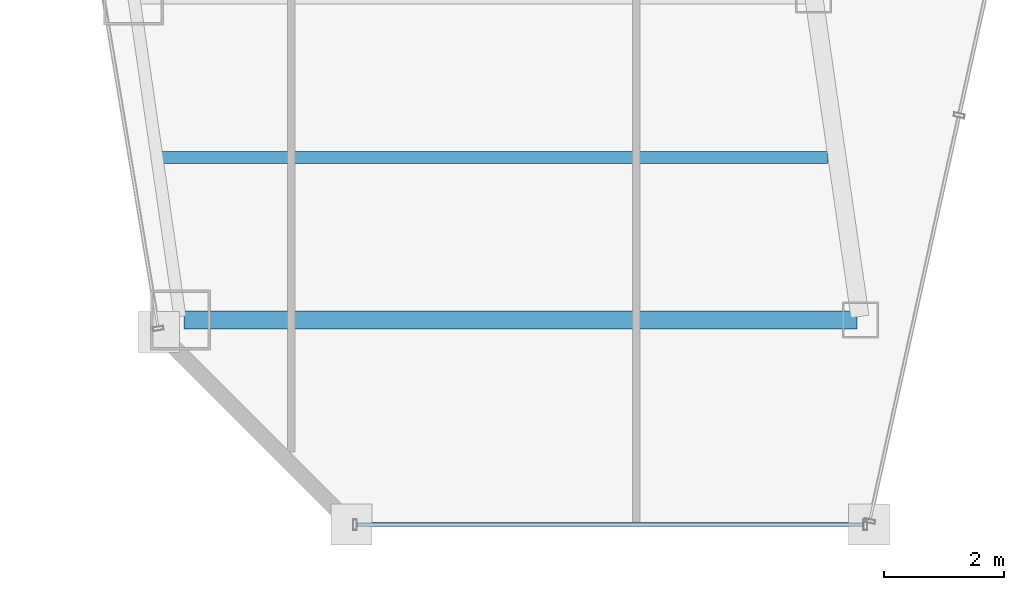
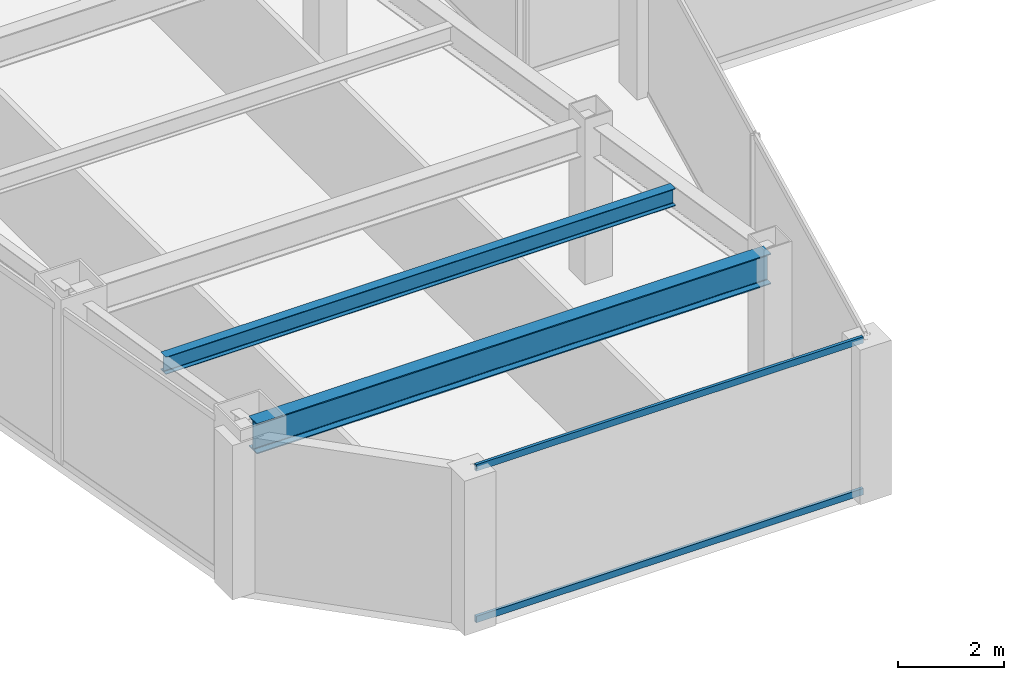
# One storey, part 3 of 40: 2 beams, 2 members, 1 element without a shape of its own.
"""IFC4 building model written with IfcOpenShell, lengths in metres."""

from ifc_helpers import new_model, si_unit, direction, frame, origin, origin_2d, place, context, subcontext, project, spatial, hollow_rectangle, i_section, extrude, material, material_profile, profile_set, type_object, element, aggregate, save


model = new_model("IFC4")

# Units and contexts
model_context = context("Model", 3, precision=1e-05, world=origin(), true_north=direction((0.0, 1.0)))
body_context = subcontext(model_context, "Body", "Model", "MODEL_VIEW")
ifc_project = project(units=[si_unit("LENGTHUNIT", "METRE"), si_unit("AREAUNIT", "SQUARE_METRE"), si_unit("VOLUMEUNIT", "CUBIC_METRE"), si_unit("PLANEANGLEUNIT", "RADIAN"), si_unit("MASSUNIT", "GRAM", prefix="KILO")], contexts=[model_context])

# Site, building, storey
site_placement = place(None, origin())
site = spatial("IfcSite", under=ifc_project, at=site_placement, CompositionType="ELEMENT")
building_placement = place(site_placement, origin())
building = spatial("IfcBuilding", under=site, at=building_placement, Name="Saevonmaru Cultural Tower", CompositionType="ELEMENT")
storey_placement = place(building_placement, frame((0.0, 0.0, 129.60009765625)))
storey = spatial("IfcBuildingStorey", under=building, at=storey_placement, Name="L27", CompositionType="ELEMENT", Elevation=129.60009765625)

# Beams
ifc_material_1 = material(Name="Steel SM355", Category="steel")
ifc_material_profile_1 = material_profile(ifc_material_1, i_section(OverallWidth=0.300048828125, OverallDepth=0.699951171875, WebThickness=0.012939453125, FlangeThickness=0.02392578125, FilletRadius=0.02587890625, at=origin_2d()), Name="H-700x300x13x24")
ifc_profile_set_1 = profile_set([ifc_material_profile_1], Name="Steel SM355")
beam_type_1 = type_object("IfcBeamType", Name="BM-G-H700", PredefinedType="BEAM", material=ifc_profile_set_1)
beam_1_placement = place(storey_placement, frame((11.468017578125, 10.60009765625, 3.199951171875), z_axis=(1.0, 0.0, 0.0), x_axis=(0.0, 1.0, 0.0)))
element("IfcBeam", 1, at=beam_1_placement, inside=storey, type_object=beam_type_1, Name="L27 West Wing Transverse Girder 1", PredefinedType="BEAM", context=body_context, shape_type="SweptSolid", body=[
    extrude(i_section(OverallWidth=0.300048828125, OverallDepth=0.699951171875, WebThickness=0.012939453125, FlangeThickness=0.02392578125, FilletRadius=0.02587890625, at=origin_2d()), origin(), (0.0, 0.0, 1.0), 11.179931640625),
])
ifc_material_profile_2 = material_profile(ifc_material_1, i_section(OverallWidth=0.199951171875, OverallDepth=0.39990234375, WebThickness=0.008056640625, FlangeThickness=0.012939453125, FilletRadius=0.01611328125, at=origin_2d()), Name="H-400x200x8x13")
ifc_profile_set_2 = profile_set([ifc_material_profile_2], Name="Steel SM355")
beam_type_2 = type_object("IfcBeamType", Name="BM-J-H400", PredefinedType="JOIST", material=ifc_profile_set_2)
beam_2_placement = place(storey_placement, frame((11.077880859375, 13.300048828125, 3.349853515625), z_axis=(1.0, 0.0, 0.0), x_axis=(0.0, 1.0, 0.0)))
element("IfcBeam", 2, at=beam_2_placement, inside=storey, type_object=beam_type_2, Name="L27 West Wing Floor Joist 1", PredefinedType="JOIST", context=body_context, shape_type="SweptSolid", body=[
    extrude(i_section(OverallWidth=0.199951171875, OverallDepth=0.39990234375, WebThickness=0.008056640625, FlangeThickness=0.012939453125, FilletRadius=0.01611328125, at=origin_2d()), origin(), (0.0, 0.0, 1.0), 11.08203125),
])

# Curtain wall, members
ifc_material_2 = material(Name="Satin Bronze Anodised Aluminium", Category="aluminium")
curtain_wall_type = type_object("IfcCurtainWallType", Name="CW-SKY-GLZ", PredefinedType="NOTDEFINED", material=ifc_material_2)
curtain_wall_placement = place(storey_placement, origin())
curtain_wall = element("IfcCurtainWall", 3, at=curtain_wall_placement, inside=storey, type_object=curtain_wall_type, Name="L27 Unitised Curtain Wall E2", PredefinedType="NOTDEFINED")
ifc_material_profile_3 = material_profile(ifc_material_2, hollow_rectangle(XDim=0.06494140625, YDim=0.14990234375, WallThickness=0.00390625, at=origin_2d()), Name="ALU-TRAN-150x65x4")
ifc_profile_set_3 = profile_set([ifc_material_profile_3], Name="Satin Bronze Anodised Aluminium")
member_type = type_object("IfcMemberType", Name="TR-CW-150x65", PredefinedType="USERDEFINED", material=ifc_profile_set_3)
member_1_placement = place(storey_placement, frame((14.34130859375, 7.199951171875, 0.032470703125), z_axis=(1.0, 0.0, 0.0), x_axis=(0.0, 1.0, 0.0)))
member_1 = element("IfcMember", 4, at=member_1_placement, type_object=member_type, Name="CW-TW-L27-E2 transom 1.1", ObjectType="TRANSOM", PredefinedType="USERDEFINED", context=body_context, shape_type="SweptSolid", body=[
    extrude(hollow_rectangle(XDim=0.06494140625, YDim=0.14990234375, WallThickness=0.00390625, at=origin_2d()), origin(), (0.0, 0.0, 1.0), 8.4150390625),
])
member_2_placement = place(storey_placement, frame((14.34130859375, 7.199951171875, 3.517333984375), z_axis=(1.0, 0.0, 0.0), x_axis=(0.0, 1.0, 0.0)))
member_2 = element("IfcMember", 5, at=member_2_placement, type_object=member_type, Name="CW-TW-L27-E2 transom 1.2", ObjectType="TRANSOM", PredefinedType="USERDEFINED", context=body_context, shape_type="SweptSolid", body=[
    extrude(hollow_rectangle(XDim=0.06494140625, YDim=0.14990234375, WallThickness=0.00390625, at=origin_2d()), origin(), (0.0, 0.0, 1.0), 8.4150390625),
])
aggregate(curtain_wall, [member_1, member_2])

save(model, "model.ifc")
